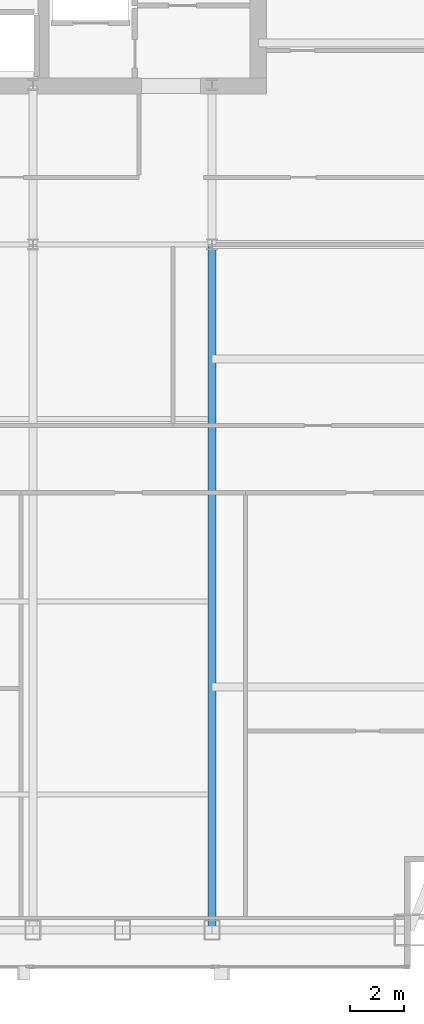
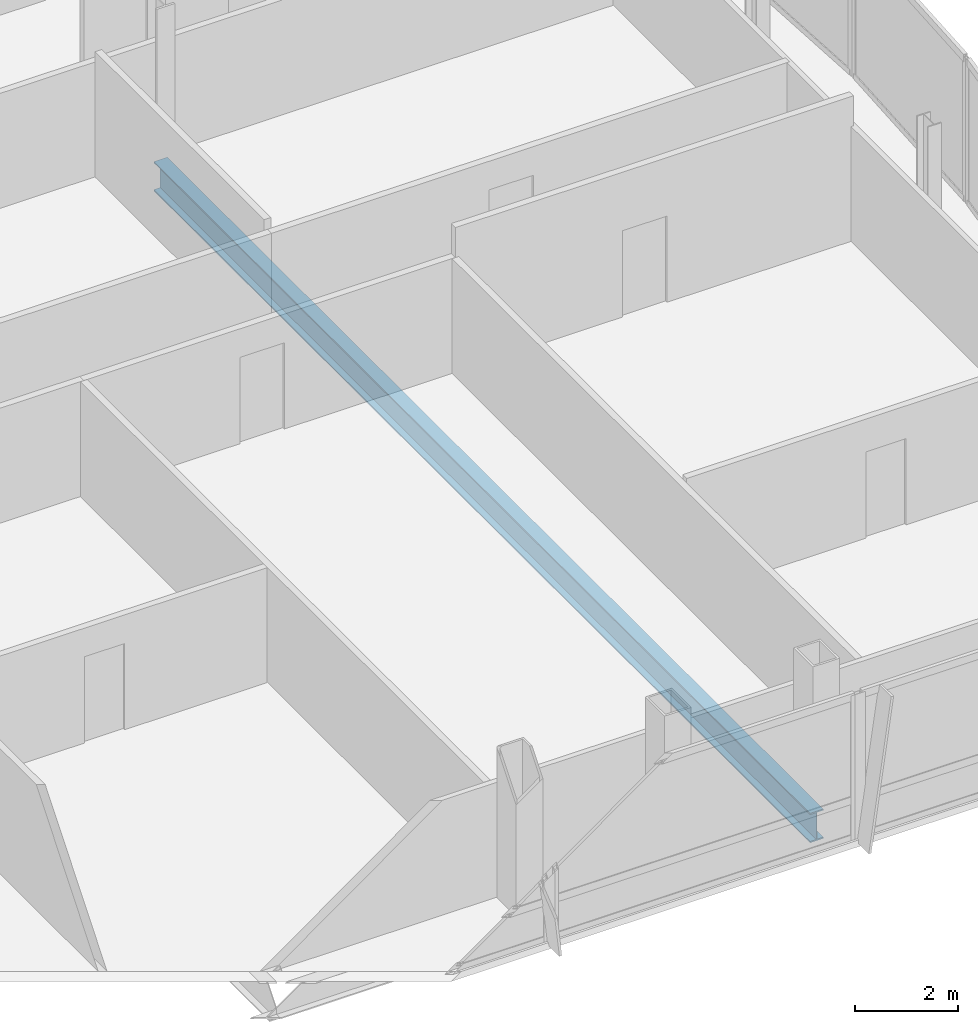
# One storey, part 15 of 30: 1 beam.
"""IFC4 building model written with IfcOpenShell, lengths in metres."""

from ifc_helpers import new_model, si_unit, direction, frame, origin, origin_2d, place, context, subcontext, project, spatial, i_section, extrude, material, material_profile, profile_set, type_object, element, save


model = new_model("IFC4")

# Units and contexts
model_context = context("Model", 3, precision=1e-05, world=origin(), true_north=direction((0.0, 1.0)))
body_context = subcontext(model_context, "Body", "Model", "MODEL_VIEW")
ifc_project = project(units=[si_unit("LENGTHUNIT", "METRE"), si_unit("AREAUNIT", "SQUARE_METRE"), si_unit("VOLUMEUNIT", "CUBIC_METRE"), si_unit("PLANEANGLEUNIT", "RADIAN"), si_unit("MASSUNIT", "GRAM", prefix="KILO")], contexts=[model_context])

# Site, building, storey
site_placement = place(None, origin())
site = spatial("IfcSite", under=ifc_project, at=site_placement, CompositionType="ELEMENT")
building_placement = place(site_placement, origin())
building = spatial("IfcBuilding", under=site, at=building_placement, Name="Khoronbel Lancet Exchange", CompositionType="ELEMENT")
storey_placement = place(building_placement, frame((0.0, 0.0, 203.0)))
storey = spatial("IfcBuildingStorey", under=building, at=storey_placement, Name="L51", CompositionType="ELEMENT", Elevation=203.0)

# Beam
ifc_material = material(Name="Steel S355", Category="steel")
ifc_material_profile = material_profile(ifc_material, i_section(OverallWidth=0.300048828125, OverallDepth=0.699951171875, WebThickness=0.01708984375, FlangeThickness=0.031982421875, at=origin_2d()), Name="HEB 700")
ifc_profile_set = profile_set([ifc_material_profile], Name="Steel S355")
beam_type = type_object("IfcBeamType", Name="BM-BG3", PredefinedType="BEAM", material=ifc_profile_set)
beam_placement = place(storey_placement, frame((54.675048828125, 10.14990234375, -0.510009765625), z_axis=(0.0, 1.0, 0.0), x_axis=(-1.0, 0.0, 0.0)))
element("IfcBeam", 1, at=beam_placement, inside=storey, type_object=beam_type, Name="Level L51 south primary girder GS6", PredefinedType="BEAM", context=body_context, shape_type="SweptSolid", body=[
    extrude(i_section(OverallWidth=0.300048828125, OverallDepth=0.699951171875, WebThickness=0.01708984375, FlangeThickness=0.031982421875, at=origin_2d()), origin(), (0.0, 0.0, 1.0), 25.550048828125),
])

save(model, "model.ifc")
